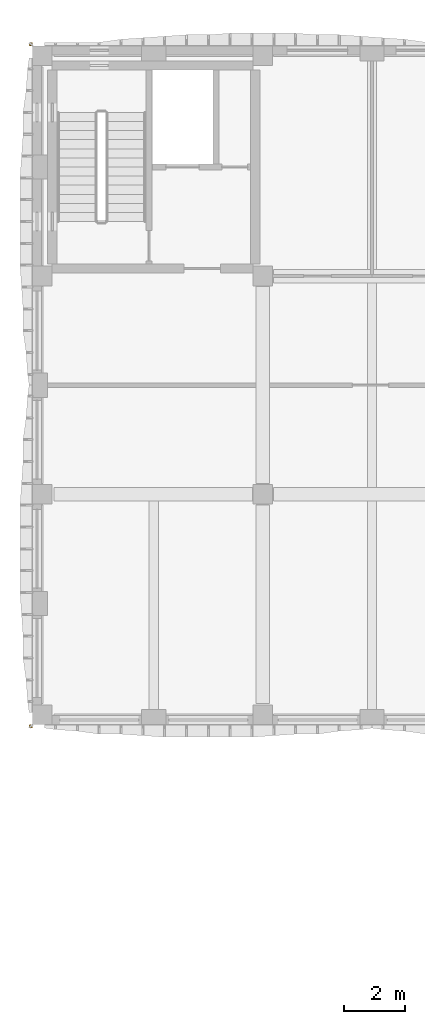
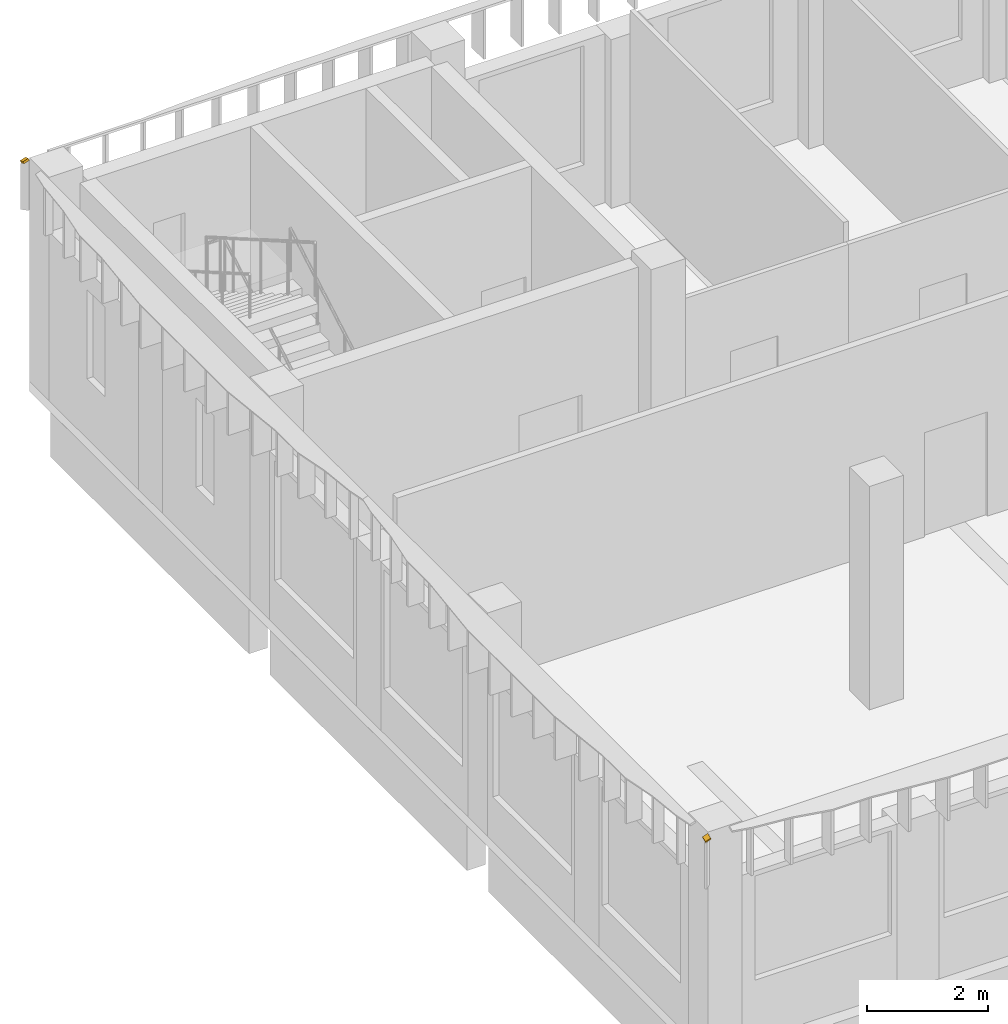
# One storey, part 58 of 58: 2 shading devices.
"""IFC4 building model written with IfcOpenShell, lengths in metres."""

from ifc_helpers import new_model, si_unit, direction, frame, origin, place, context, subcontext, project, spatial, polyline, outline, extrude, material, layer, layer_set, type_object, element, save


model = new_model("IFC4")

# Units and contexts
model_context = context("Model", 3, precision=1e-05, world=origin(), true_north=direction((0.0, 1.0)))
body_context = subcontext(model_context, "Body", "Model", "MODEL_VIEW")
ifc_project = project(units=[si_unit("LENGTHUNIT", "METRE"), si_unit("AREAUNIT", "SQUARE_METRE"), si_unit("VOLUMEUNIT", "CUBIC_METRE"), si_unit("PLANEANGLEUNIT", "RADIAN"), si_unit("MASSUNIT", "GRAM", prefix="KILO")], contexts=[model_context])

# Site, building, storey
site_placement = place(None, origin())
site = spatial("IfcSite", under=ifc_project, at=site_placement, CompositionType="ELEMENT")
building_placement = place(site_placement, origin())
building = spatial("IfcBuilding", under=site, at=building_placement, Name="Ussher Court Research Institute", CompositionType="ELEMENT")
storey_placement = place(building_placement, frame((0.0, 0.0, 9.89990234375)))
storey = spatial("IfcBuildingStorey", under=building, at=storey_placement, Name="L02", CompositionType="ELEMENT", Elevation=9.89990234375)

# Shading devices
ifc_material = material(Name="Bronze anodised aluminium", Category="aluminium")
ifc_layer = layer(ifc_material, 0.0400390625)
ifc_layer_set = layer_set([ifc_layer], Name="Bronze anodised aluminium")
shading_device_type = type_object("IfcShadingDeviceType", Name="Brim visor sheet 40 mm canted 20 deg dry", PredefinedType="USERDEFINED", material=ifc_layer_set)
shading_device_1_placement = place(storey_placement, frame((2.587158203125, 68.38720703125, 4.485595703125), z_axis=(-0.323224861095, -0.323224861095, 0.889410691604), x_axis=(-0.939860335167, 0.0, -0.341558999853)))
element("IfcShadingDevice", 1, at=shading_device_1_placement, inside=storey, type_object=shading_device_type, Name="Brim visor sheet BR2 L02", ObjectType="BRIM", PredefinedType="USERDEFINED", context=body_context, shape_type="SweptSolid", body=[
    extrude(outline(polyline([(0.0, 0.0), (0.10650269247958763, -1.734723475976807e-18), (0.11892756820666907, 0.10577545068950636), (0.01242487572708144, 0.10577545068950638), (0.0, 0.0)])), origin(), (0.0, 0.0, -1.0), 0.0400390625),
])
shading_device_2_placement = place(storey_placement, frame((2.587158203125, 90.81298828125, 4.485595703125), z_axis=(-0.323142227815, 0.323932306611, 0.889183311436), x_axis=(0.0, 0.939592038002, -0.342296365922)))
element("IfcShadingDevice", 2, at=shading_device_2_placement, inside=storey, type_object=shading_device_type, Name="Brim visor sheet BR2 L02", ObjectType="BRIM", PredefinedType="USERDEFINED", context=body_context, shape_type="SweptSolid", body=[
    extrude(outline(polyline([(0.0, 0.0), (0.10627326710575227, 0.0), (0.11872496596376943, 0.10577229647195369), (0.012451698858017153, 0.10577229647195369), (0.0, 0.0)])), origin(), (0.0, 0.0, -1.0), 0.0400390625),
])

save(model, "model.ifc")
